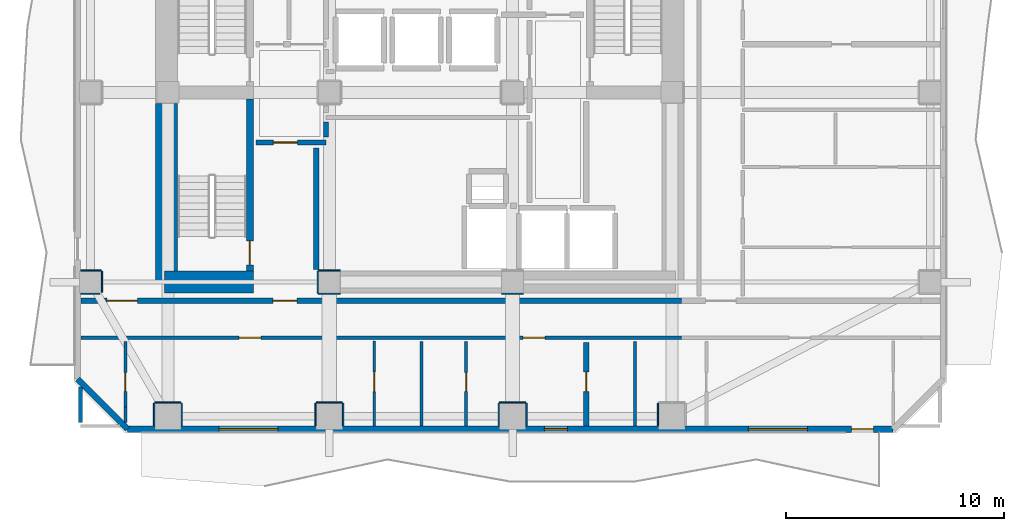
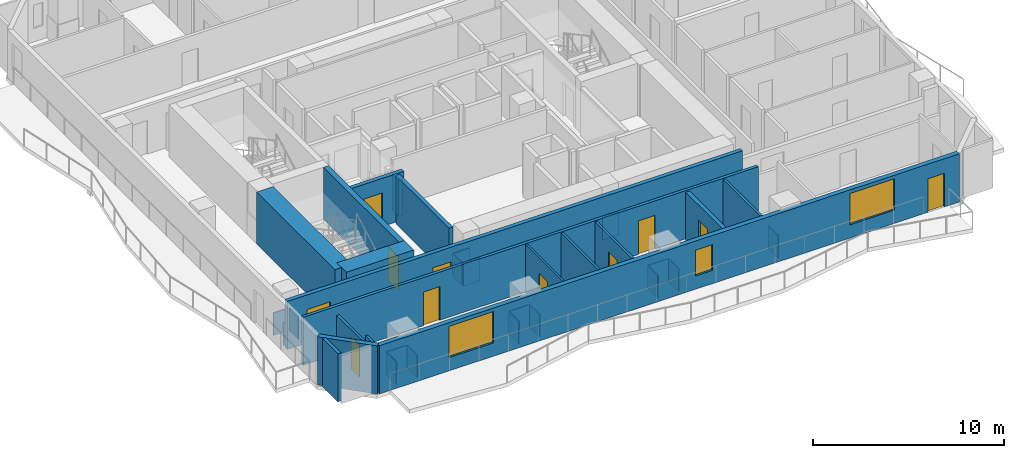
# One storey, part 2 of 11: 35 walls, 11 doors, 3 windows, 14 openings.
"""IFC4 building model written with IfcOpenShell, lengths in metres."""

from ifc_helpers import new_model, si_unit, direction, frame, frame_2d, origin, place, context, subcontext, project, spatial, rectangle, extrude, material, layer, layer_set, type_object, element, fill, save


model = new_model("IFC4")

# Units and contexts
model_context = context("Model", 3, precision=1e-05, world=origin(), true_north=direction((0.0, 1.0)))
body_context = subcontext(model_context, "Body", "Model", "MODEL_VIEW")
ifc_project = project(units=[si_unit("LENGTHUNIT", "METRE"), si_unit("AREAUNIT", "SQUARE_METRE"), si_unit("VOLUMEUNIT", "CUBIC_METRE"), si_unit("PLANEANGLEUNIT", "RADIAN"), si_unit("MASSUNIT", "GRAM", prefix="KILO")], contexts=[model_context])

# Site, building, storey
site_placement = place(None, origin())
site = spatial("IfcSite", under=ifc_project, at=site_placement, CompositionType="ELEMENT")
building_placement = place(site_placement, origin())
building = spatial("IfcBuilding", under=site, at=building_placement, Name="Solanera Arch Residences", CompositionType="ELEMENT")
storey_placement = place(building_placement, frame((0.0, 0.0, 149.239990234375)))
storey = spatial("IfcBuildingStorey", under=building, at=storey_placement, Name="L43", CompositionType="ELEMENT", Elevation=149.239990234375)

# Walls
ifc_material_1 = material(Name="Fire-Rated Gypsum Stud Partition", Category="gypsum")
ifc_layer_1 = layer(ifc_material_1, 0.06005859375)
ifc_layer_set_1 = layer_set([ifc_layer_1], Name="Fire-Rated Gypsum Stud Partition")
wall_type_1 = type_object("IfcWallType", Name="Column Acoustic Furring Wall 60", PredefinedType="PARTITIONING", material=ifc_layer_set_1)
for number, where, z_axis, x_axis, name in (
    (1, (20.300048828125, 21.468017578125, 0.0), (0.0, 0.0, 1.0), (1.0, 0.0, 0.0), "L43 Column Furring 1S"),
    (2, (20.300048828125, 22.531982421875, 0.0), (0.0, 0.0, 1.0), (1.0, 0.0, 0.0), "L43 Column Furring 1N"),
    (3, (20.26806640625, 21.5, 0.0), (0.0, 0.0, 1.0), (0.0, 1.0, 0.0), "L43 Column Furring 1W"),
    (4, (28.699951171875, 21.468017578125, 0.0), (0.0, 0.0, 1.0), (1.0, 0.0, 0.0), "L43 Column Furring 2S"),
):
    element("IfcWall", number, at=place(storey_placement, frame(where, z_axis=z_axis, x_axis=x_axis)), inside=storey, type_object=wall_type_1, Name=name, PredefinedType="PARTITIONING", context=body_context, shape_type="SweptSolid", body=[
        extrude(rectangle(XDim=1.0, YDim=0.06005859375, at=frame_2d((0.5, 0.0))), origin(), (0.0, 0.0, 1.0), 1.449951171875),
    ])
wall_1_placement = place(storey_placement, frame((12.800048828125, 16.48193359375, 0.0), z_axis=(0.0, 0.0, 1.0), x_axis=(1.0, 0.0, 0.0)))
element("IfcWall", 5, at=wall_1_placement, inside=storey, type_object=wall_type_1, Name="L43 Column Furring 9N", PredefinedType="PARTITIONING", context=body_context, shape_type="SweptSolid", body=[
    extrude(rectangle(XDim=1.199951171875, YDim=0.06005859375, at=frame_2d((0.60009765625, 0.0))), origin(), (0.0, 0.0, 1.0), 1.449951171875),
])
for number, where, z_axis, x_axis, name in (
    (6, (12.76806640625, 15.409912109375, 0.0), (0.0, 0.0, 1.0), (0.0, 1.0, 0.0), "L43 Column Furring 9W"),
    (7, (14.031982421875, 15.409912109375, 0.0), (0.0, 0.0, 1.0), (0.0, 1.0, 0.0), "L43 Column Furring 9E"),
):
    element("IfcWall", number, at=place(storey_placement, frame(where, z_axis=z_axis, x_axis=x_axis)), inside=storey, type_object=wall_type_1, Name=name, PredefinedType="PARTITIONING", context=body_context, shape_type="SweptSolid", body=[
        extrude(rectangle(XDim=1.0400390625, YDim=0.06005859375, at=frame_2d((0.52001953125, 0.0))), origin(), (0.0, 0.0, 1.0), 1.449951171875),
    ])
wall_2_placement = place(storey_placement, frame((20.199951171875, 16.48193359375, 0.0), z_axis=(0.0, 0.0, 1.0), x_axis=(1.0, 0.0, 0.0)))
element("IfcWall", 8, at=wall_2_placement, inside=storey, type_object=wall_type_1, Name="L43 Column Furring 11N", PredefinedType="PARTITIONING", context=body_context, shape_type="SweptSolid", body=[
    extrude(rectangle(XDim=1.199951171875, YDim=0.06005859375, at=frame_2d((0.60009765625, 0.0))), origin(), (0.0, 0.0, 1.0), 1.449951171875),
])
for number, where, z_axis, x_axis, name in (
    (9, (20.16796875, 15.409912109375, 0.0), (0.0, 0.0, 1.0), (0.0, 1.0, 0.0), "L43 Column Furring 11W"),
    (10, (21.431884765625, 15.409912109375, 0.0), (0.0, 0.0, 1.0), (0.0, 1.0, 0.0), "L43 Column Furring 11E"),
):
    element("IfcWall", number, at=place(storey_placement, frame(where, z_axis=z_axis, x_axis=x_axis)), inside=storey, type_object=wall_type_1, Name=name, PredefinedType="PARTITIONING", context=body_context, shape_type="SweptSolid", body=[
        extrude(rectangle(XDim=1.0400390625, YDim=0.06005859375, at=frame_2d((0.52001953125, 0.0))), origin(), (0.0, 0.0, 1.0), 1.449951171875),
    ])
wall_3_placement = place(storey_placement, frame((28.60009765625, 16.48193359375, 0.0), z_axis=(0.0, 0.0, 1.0), x_axis=(1.0, 0.0, 0.0)))
element("IfcWall", 11, at=wall_3_placement, inside=storey, type_object=wall_type_1, Name="L43 Column Furring 13N", PredefinedType="PARTITIONING", context=body_context, shape_type="SweptSolid", body=[
    extrude(rectangle(XDim=1.199951171875, YDim=0.06005859375, at=frame_2d((0.60009765625, 0.0))), origin(), (0.0, 0.0, 1.0), 1.449951171875),
])
for number, where, z_axis, x_axis, name in (
    (12, (28.568115234375, 15.409912109375, 0.0), (0.0, 0.0, 1.0), (0.0, 1.0, 0.0), "L43 Column Furring 13W"),
    (13, (29.83203125, 15.409912109375, 0.0), (0.0, 0.0, 1.0), (0.0, 1.0, 0.0), "L43 Column Furring 13E"),
    (14, (35.867919921875, 15.409912109375, 0.0), (0.0, 0.0, 1.0), (0.0, 1.0, 0.0), "L43 Column Furring 15W"),
):
    element("IfcWall", number, at=place(storey_placement, frame(where, z_axis=z_axis, x_axis=x_axis)), inside=storey, type_object=wall_type_1, Name=name, PredefinedType="PARTITIONING", context=body_context, shape_type="SweptSolid", body=[
        extrude(rectangle(XDim=1.0400390625, YDim=0.06005859375, at=frame_2d((0.52001953125, 0.0))), origin(), (0.0, 0.0, 1.0), 1.449951171875),
    ])
wall_4_placement = place(storey_placement, frame((9.409912109375, 21.468017578125, 0.0), z_axis=(0.0, 0.0, 1.0), x_axis=(1.0, 0.0, 0.0)))
element("IfcWall", 15, at=wall_4_placement, inside=storey, type_object=wall_type_1, Name="L43 Column Furring 17S", PredefinedType="PARTITIONING", context=body_context, shape_type="SweptSolid", body=[
    extrude(rectangle(XDim=0.87109375, YDim=0.06005859375, at=frame_2d((0.435546875, 0.0))), origin(), (0.0, 0.0, 1.0), 1.449951171875),
])
wall_5_placement = place(storey_placement, frame((9.409912109375, 22.531982421875, 0.0), z_axis=(0.0, 0.0, 1.0), x_axis=(1.0, 0.0, 0.0)))
element("IfcWall", 16, at=wall_5_placement, inside=storey, type_object=wall_type_1, Name="L43 Column Furring 17N", PredefinedType="PARTITIONING", context=body_context, shape_type="SweptSolid", body=[
    extrude(rectangle(XDim=0.940185546875, YDim=0.06005859375, at=frame_2d((0.47021484375, 0.0))), origin(), (0.0, 0.0, 1.0), 1.449951171875),
])
wall_6_placement = place(storey_placement, frame((10.382080078125, 21.5439453125, 0.0), z_axis=(0.0, 0.0, 1.0), x_axis=(0.0, 1.0, 0.0)))
element("IfcWall", 17, at=wall_6_placement, inside=storey, type_object=wall_type_1, Name="L43 Column Furring 17E", PredefinedType="PARTITIONING", context=body_context, shape_type="SweptSolid", body=[
    extrude(rectangle(XDim=0.9560546875, YDim=0.06005859375, at=frame_2d((0.47802734375, 0.0))), origin(), (0.0, 0.0, 1.0), 1.449951171875),
])
ifc_material_2 = material(Name="Concrete C55/67 (f'c = 60 MPa)", Category="concrete")
ifc_layer_2 = layer(ifc_material_2, 1.0)
ifc_layer_set_2 = layer_set([ifc_layer_2], Name="Concrete C55/67 (f'c = 60 MPa)")
wall_type_2 = type_object("IfcWallType", Name="Core Shear Wall CW-1000", PredefinedType="SHEAR", material=ifc_layer_set_2)
wall_7_placement = place(storey_placement, frame((13.340087890625, 22.0, 0.0), z_axis=(0.0, 0.0, 1.0), x_axis=(0.0, 1.0, 0.0)))
element("IfcWall", 18, at=wall_7_placement, inside=storey, type_object=wall_type_2, Name="L43 West Core South Shear Wall", PredefinedType="SHEAR", context=body_context, shape_type="SweptSolid", body=[
    extrude(rectangle(XDim=8.195068359375, YDim=1.0, at=frame_2d((4.09765625, 0.0))), origin(), (0.0, 0.0, 1.0), 3.320068359375),
])
wall_8_placement = place(storey_placement, frame((13.239990234375, 22.0, 0.0), z_axis=(0.0, 0.0, 1.0), x_axis=(1.0, 0.0, 0.0)))
element("IfcWall", 19, at=wall_8_placement, inside=storey, type_object=wall_type_2, Name="L43 South-West Core Shear Wall", PredefinedType="SHEAR", context=body_context, shape_type="SweptSolid", body=[
    extrude(rectangle(XDim=4.080078125, YDim=1.0, at=frame_2d((2.0400390625, 0.0))), origin(), (0.0, 0.0, 1.0), 3.320068359375),
])

# Wall, opening, door
ifc_material_3 = material(Name="Concrete C40/50 (f'c = 45 MPa)", Category="concrete")
ifc_layer_3 = layer(ifc_material_3, 0.320068359375)
ifc_layer_set_3 = layer_set([ifc_layer_3], Name="Concrete C40/50 (f'c = 45 MPa)")
wall_type_3 = type_object("IfcWallType", Name="Core Shear Wall CW-320", PredefinedType="SHEAR", material=ifc_layer_set_3)
wall_9_placement = place(storey_placement, frame((17.159912109375, 22.5, 0.0), z_axis=(0.0, 0.0, 1.0), x_axis=(0.0, 1.0, 0.0)))
wall_9 = element("IfcWall", 20, at=wall_9_placement, inside=storey, type_object=wall_type_3, Name="L43 Stair ST-T3 East Shear Wall", PredefinedType="SHEAR", context=body_context, shape_type="SweptSolid", body=[
    extrude(rectangle(XDim=7.89990234375, YDim=0.320068359375, at=frame_2d((3.949951171875, 0.0))), origin(), (0.0, 0.0, 1.0), 3.320068359375),
])
opening_1_placement = place(wall_9_placement, frame((0.2900390625, 0.0, 0.0)))
opening_1 = element("IfcOpeningElement", 21, at=opening_1_placement, cuts=wall_9, Name="Opening DF-01", PredefinedType="OPENING", context=body_context, shape_type="SweptSolid", body=[
    extrude(rectangle(XDim=1.10009765625, YDim=2.14990234375, at=frame_2d((0.550048828125, 1.074951171875))), frame((0.0, 0.169921875, 0.0), z_axis=(0.0, -1.0, 0.0), x_axis=(1.0, 0.0, 0.0)), (0.0, 0.0, 1.0), 0.3401),
])
ifc_material_4 = material(Name="Fire-Rated Architectural Hardwood", Category="wood")
door_type_1 = type_object("IfcDoorType", Name="Stair Exit Fire Door DF-01", OperationType="NOTDEFINED", PredefinedType="DOOR", material=ifc_material_4)
door_1_placement = place(opening_1_placement, origin())
door_1 = element("IfcDoor", 22, at=door_1_placement, inside=storey, type_object=door_type_1, Name="DR-L43-STAIR-ST-T3", OperationType="SINGLE_SWING_RIGHT", OverallHeight=2.14990234375, OverallWidth=1.10009765625, PredefinedType="DOOR", context=body_context, shape_type="SweptSolid", body=[
    extrude(rectangle(XDim=1.10009765625, YDim=2.14990234375, at=frame_2d((0.550048828125, 1.074951171875))), frame((0.0, 0.02490234375, 0.0), z_axis=(0.0, -1.0, 0.0), x_axis=(1.0, 0.0, 0.0)), (0.0, 0.0, 1.0), 0.050048828125),
])
fill(opening_1, door_1)

# Wall, openings, doors
ifc_material_5 = material(Name="Autoclaved Aerated Concrete Blockwork", Category="masonry")
ifc_layer_4 = layer(ifc_material_5, 0.179931640625)
ifc_layer_set_4 = layer_set([ifc_layer_4], Name="Autoclaved Aerated Concrete Blockwork")
wall_type_4 = type_object("IfcWallType", Name="Corridor Fire Partition 180", PredefinedType="PARTITIONING", material=ifc_layer_set_4)
wall_10_placement = place(storey_placement, frame((9.406982421875, 19.449951171875, 0.0), z_axis=(0.0, 0.0, 1.0), x_axis=(1.0, 0.0, 0.0)))
wall_10 = element("IfcWall", 23, at=wall_10_placement, inside=storey, type_object=wall_type_4, Name="L43 Interior Partition H8 1", PredefinedType="PARTITIONING", context=body_context, shape_type="SweptSolid", body=[
    extrude(rectangle(XDim=27.531982421875, YDim=0.179931640625, at=frame_2d((13.76611328125, 0.0))), origin(), (0.0, 0.0, 1.0), 3.080078125),
])
opening_2_placement = place(wall_10_placement, frame((7.251953125, 0.0, 0.0)))
opening_2 = element("IfcOpeningElement", 24, at=opening_2_placement, cuts=wall_10, Name="Opening DI-01", PredefinedType="OPENING", context=body_context, shape_type="SweptSolid", body=[
    extrude(rectangle(XDim=1.0, YDim=2.14990234375, at=frame_2d((0.5, 1.074951171875))), frame((0.0, 0.10009765625, 0.0), z_axis=(0.0, -1.0, 0.0), x_axis=(1.0, 0.0, 0.0)), (0.0, 0.0, 1.0), 0.1999),
])
opening_3_placement = place(wall_10_placement, frame((20.281982421875, 0.0, 0.0)))
opening_3 = element("IfcOpeningElement", 25, at=opening_3_placement, cuts=wall_10, Name="Opening DI-01", PredefinedType="OPENING", context=body_context, shape_type="SweptSolid", body=[
    extrude(rectangle(XDim=1.0, YDim=2.14990234375, at=frame_2d((0.5, 1.074951171875))), frame((0.0, 0.10009765625, 0.0), z_axis=(0.0, -1.0, 0.0), x_axis=(1.0, 0.0, 0.0)), (0.0, 0.0, 1.0), 0.1999),
])
ifc_material_6 = material(Name="Fire-Rated Architectural Hardwood", Category="wood")
door_type_2 = type_object("IfcDoorType", Name="Unit Entrance Fire Door DI-01", OperationType="NOTDEFINED", PredefinedType="DOOR", material=ifc_material_6)
door_2_placement = place(opening_2_placement, origin())
door_2 = element("IfcDoor", 26, at=door_2_placement, inside=storey, type_object=door_type_2, Name="DR-L43-IN-017", OperationType="SINGLE_SWING_RIGHT", OverallHeight=2.14990234375, OverallWidth=1.0, PredefinedType="DOOR", context=body_context, shape_type="SweptSolid", body=[
    extrude(rectangle(XDim=1.0, YDim=2.14990234375, at=frame_2d((0.5, 1.074951171875))), frame((0.0, 0.02490234375, 0.0), z_axis=(0.0, -1.0, 0.0), x_axis=(1.0, 0.0, 0.0)), (0.0, 0.0, 1.0), 0.050048828125),
])
fill(opening_2, door_2)
door_3_placement = place(opening_3_placement, origin())
door_3 = element("IfcDoor", 27, at=door_3_placement, inside=storey, type_object=door_type_2, Name="DR-L43-IN-020", OperationType="SINGLE_SWING_LEFT", OverallHeight=2.14990234375, OverallWidth=1.0, PredefinedType="DOOR", context=body_context, shape_type="SweptSolid", body=[
    extrude(rectangle(XDim=1.0, YDim=2.14990234375, at=frame_2d((0.5, 1.074951171875))), frame((0.0, 0.02490234375, 0.0), z_axis=(0.0, -1.0, 0.0), x_axis=(1.0, 0.0, 0.0)), (0.0, 0.0, 1.0), 0.050048828125),
])
fill(opening_3, door_3)

# Wall
wall_11_placement = place(storey_placement, frame((9.39990234375, 15.568115234375, 0.0), z_axis=(0.0, 0.0, 1.0), x_axis=(0.0, 1.0, 0.0)))
element("IfcWall", 28, at=wall_11_placement, inside=storey, type_object=wall_type_4, Name="L43 Interior Partition V8 1", PredefinedType="PARTITIONING", context=body_context, shape_type="SweptSolid", body=[
    extrude(rectangle(XDim=1.626953125, YDim=0.179931640625, at=frame_2d((0.8134765625, 0.0))), origin(), (0.0, 0.0, 1.0), 3.080078125),
])

# Wall, openings, door, windows
ifc_material_7 = material(Name="Precast Concrete C35/45", Category="concrete")
ifc_layer_5 = layer(ifc_material_7, 0.280029296875)
ifc_layer_set_5 = layer_set([ifc_layer_5], Name="Precast Concrete C35/45")
wall_type_5 = type_object("IfcWallType", Name="Exterior Wall Precast Masonry-Frame 280", PredefinedType="STANDARD", material=ifc_layer_set_5)
wall_12_placement = place(storey_placement, frame((46.64501953125, 15.2548828125, 0.0), z_axis=(0.0, 0.0, 1.0), x_axis=(-1.0, 0.0, 0.0)))
wall_12 = element("IfcWall", 29, at=wall_12_placement, inside=storey, type_object=wall_type_5, Name="L43 Tower Exterior Precast Masonry-Frame Wall S", PredefinedType="STANDARD", context=body_context, shape_type="SweptSolid", body=[
    extrude(rectangle(XDim=35.090087890625, YDim=0.280029296875, at=frame_2d((17.544921875, 0.0))), origin(), (0.0, 0.0, 1.0), 3.080078125),
])
opening_4_placement = place(wall_12_placement, frame((0.904052734375, 0.0, 0.0)))
opening_4 = element("IfcOpeningElement", 30, at=opening_4_placement, cuts=wall_12, Name="Opening DB-01", PredefinedType="OPENING", context=body_context, shape_type="SweptSolid", body=[
    extrude(rectangle(XDim=1.0, YDim=2.14990234375, at=frame_2d((0.5, 1.074951171875))), frame((0.0, 0.14990234375, 0.0), z_axis=(0.0, -1.0, 0.0), x_axis=(1.0, 0.0, 0.0)), (0.0, 0.0, 1.0), 0.3),
])
opening_5_placement = place(wall_12_placement, frame((28.195068359375, 0.0, 0.85009765625)))
opening_5 = element("IfcOpeningElement", 31, at=opening_5_placement, cuts=wall_12, Name="Opening W-09", PredefinedType="OPENING", context=body_context, shape_type="SweptSolid", body=[
    extrude(rectangle(XDim=2.699951171875, YDim=2.0, at=frame_2d((1.35009765625, 1.0))), frame((0.0, 0.14990234375, 0.0), z_axis=(0.0, -1.0, 0.0), x_axis=(1.0, 0.0, 0.0)), (0.0, 0.0, 1.0), 0.3),
])
opening_6_placement = place(wall_12_placement, frame((14.93505859375, 0.0, 0.85009765625)))
opening_6 = element("IfcOpeningElement", 32, at=opening_6_placement, cuts=wall_12, Name="Opening W-07", PredefinedType="OPENING", context=body_context, shape_type="SweptSolid", body=[
    extrude(rectangle(XDim=1.050048828125, YDim=1.64990234375, at=frame_2d((0.52490234375, 0.824951171875))), frame((0.0, 0.14990234375, 0.0), z_axis=(0.0, -1.0, 0.0), x_axis=(1.0, 0.0, 0.0)), (0.0, 0.0, 1.0), 0.3),
])
opening_7_placement = place(wall_12_placement, frame((3.93408203125, 0.0, 0.85009765625)))
opening_7 = element("IfcOpeningElement", 33, at=opening_7_placement, cuts=wall_12, Name="Opening W-09", PredefinedType="OPENING", context=body_context, shape_type="SweptSolid", body=[
    extrude(rectangle(XDim=2.699951171875, YDim=2.0, at=frame_2d((1.35009765625, 1.0))), frame((0.0, 0.14990234375, 0.0), z_axis=(0.0, -1.0, 0.0), x_axis=(1.0, 0.0, 0.0)), (0.0, 0.0, 1.0), 0.3),
])
ifc_material_8 = material(Name="Anodised Aluminium Alloy 6063-T6", Category="aluminium")
door_type_3 = type_object("IfcDoorType", Name="Glazed Balcony Swing Door DB-01", OperationType="NOTDEFINED", PredefinedType="DOOR", material=ifc_material_8)
door_4_placement = place(opening_4_placement, origin())
door_4 = element("IfcDoor", 34, at=door_4_placement, inside=storey, type_object=door_type_3, Name="DR-L43-OUT-01", OperationType="SINGLE_SWING_LEFT", OverallHeight=2.14990234375, OverallWidth=1.0, PredefinedType="DOOR", context=body_context, shape_type="SweptSolid", body=[
    extrude(rectangle(XDim=1.0, YDim=2.14990234375, at=frame_2d((0.5, 1.074951171875))), frame((0.0, 0.02490234375, 0.0), z_axis=(0.0, -1.0, 0.0), x_axis=(1.0, 0.0, 0.0)), (0.0, 0.0, 1.0), 0.050048828125),
])
fill(opening_4, door_4)
ifc_material_9 = material(Name="Double Glazed Low-E Laminated Glass", Category="glass")
window_type_1 = type_object("IfcWindowType", Name="Punched Window W-07", PartitioningType="SINGLE_PANEL", PredefinedType="WINDOW", material=ifc_material_9)
window_1_placement = place(opening_6_placement, origin())
window_1 = element("IfcWindow", 35, at=window_1_placement, inside=storey, type_object=window_type_1, Name="L43 4302-LIV Punched Window", OverallHeight=1.64990234375, OverallWidth=1.050048828125, PartitioningType="SINGLE_PANEL", PredefinedType="WINDOW", context=body_context, shape_type="SweptSolid", body=[
    extrude(rectangle(XDim=1.050048828125, YDim=1.64990234375, at=frame_2d((0.52490234375, 0.824951171875))), frame((0.0, 0.030029296875, 0.0), z_axis=(0.0, -1.0, 0.0), x_axis=(1.0, 0.0, 0.0)), (0.0, 0.0, 1.0), 0.06005859375),
])
fill(opening_6, window_1)
ifc_material_10 = material(Name="Double Glazed Low-E Laminated Glass", Category="glass")
window_type_2 = type_object("IfcWindowType", Name="Punched Window W-09", PartitioningType="TRIPLE_PANEL_VERTICAL", PredefinedType="WINDOW", material=ifc_material_10)
window_2_placement = place(opening_5_placement, origin())
window_2 = element("IfcWindow", 36, at=window_2_placement, inside=storey, type_object=window_type_2, Name="L43 4301-LIV Punched Window", OverallHeight=2.0, OverallWidth=2.699951171875, PartitioningType="SINGLE_PANEL", PredefinedType="WINDOW", context=body_context, shape_type="SweptSolid", body=[
    extrude(rectangle(XDim=2.699951171875, YDim=2.0, at=frame_2d((1.35009765625, 1.0))), frame((0.0, 0.030029296875, 0.0), z_axis=(0.0, -1.0, 0.0), x_axis=(1.0, 0.0, 0.0)), (0.0, 0.0, 1.0), 0.06005859375),
])
fill(opening_5, window_2)
window_3_placement = place(opening_7_placement, origin())
window_3 = element("IfcWindow", 37, at=window_3_placement, inside=storey, type_object=window_type_2, Name="L43 4303-LIV Punched Window", OverallHeight=2.0, OverallWidth=2.699951171875, PartitioningType="SINGLE_PANEL", PredefinedType="WINDOW", context=body_context, shape_type="SweptSolid", body=[
    extrude(rectangle(XDim=2.699951171875, YDim=2.0, at=frame_2d((1.35009765625, 1.0))), frame((0.0, 0.030029296875, 0.0), z_axis=(0.0, -1.0, 0.0), x_axis=(1.0, 0.0, 0.0)), (0.0, 0.0, 1.0), 0.06005859375),
])
fill(opening_7, window_3)

# Wall
wall_13_placement = place(storey_placement, frame((11.554931640625, 15.2548828125, 0.0), z_axis=(0.0, 0.0, 1.0), x_axis=(-0.707106781187, 0.707106781187, 0.0)))
element("IfcWall", 38, at=wall_13_placement, inside=storey, type_object=wall_type_5, Name="L43 Tower Exterior Precast Masonry-Frame Wall CH7", PredefinedType="STANDARD", context=body_context, shape_type="SweptSolid", body=[
    extrude(rectangle(XDim=3.252685546875, YDim=0.280029296875, at=frame_2d((1.62646484375, 0.0))), origin(), (0.0, 0.0, 1.0), 3.080078125),
])

# Wall, openings, doors
ifc_material_11 = material(Name="Autoclaved Aerated Concrete Blockwork", Category="masonry")
ifc_layer_6 = layer(ifc_material_11, 0.239990234375)
ifc_layer_set_6 = layer_set([ifc_layer_6], Name="Autoclaved Aerated Concrete Blockwork")
wall_type_6 = type_object("IfcWallType", Name="Shaft Wall Fire-Rated 240", PredefinedType="PARTITIONING", material=ifc_layer_set_6)
wall_14_placement = place(storey_placement, frame((9.406982421875, 21.14990234375, 0.0), z_axis=(0.0, 0.0, 1.0), x_axis=(1.0, 0.0, 0.0)))
wall_14 = element("IfcWall", 39, at=wall_14_placement, inside=storey, type_object=wall_type_6, Name="L43 Interior Partition H1 1", PredefinedType="PARTITIONING", context=body_context, shape_type="SweptSolid", body=[
    extrude(rectangle(XDim=27.531982421875, YDim=0.239990234375, at=frame_2d((13.76611328125, 0.0))), origin(), (0.0, 0.0, 1.0), 3.080078125),
])
opening_8_placement = place(wall_14_placement, frame((8.802978515625, 0.0, 0.0)))
opening_8 = element("IfcOpeningElement", 40, at=opening_8_placement, cuts=wall_14, Name="Opening DF-02", PredefinedType="OPENING", context=body_context, shape_type="SweptSolid", body=[
    extrude(rectangle(XDim=1.10009765625, YDim=2.14990234375, at=frame_2d((0.550048828125, 1.074951171875))), frame((0.0, 0.1298828125, 0.0), z_axis=(0.0, -1.0, 0.0), x_axis=(1.0, 0.0, 0.0)), (0.0, 0.0, 1.0), 0.26),
])
opening_9_placement = place(wall_14_placement, frame((1.19189453125, 0.0, 0.0)))
opening_9 = element("IfcOpeningElement", 41, at=opening_9_placement, cuts=wall_14, Name="Opening DF-03", PredefinedType="OPENING", context=body_context, shape_type="SweptSolid", body=[
    extrude(rectangle(XDim=1.39990234375, YDim=2.14990234375, at=frame_2d((0.699951171875, 1.074951171875))), frame((0.0, 0.1298828125, 0.0), z_axis=(0.0, -1.0, 0.0), x_axis=(1.0, 0.0, 0.0)), (0.0, 0.0, 1.0), 0.26),
])
ifc_material_12 = material(Name="Fire-Rated Architectural Hardwood", Category="wood")
door_type_4 = type_object("IfcDoorType", Name="Corridor Smoke Door DF-03", OperationType="NOTDEFINED", PredefinedType="DOOR", material=ifc_material_12)
door_5_placement = place(opening_9_placement, origin())
door_5 = element("IfcDoor", 42, at=door_5_placement, inside=storey, type_object=door_type_4, Name="DR-L43-IN-010", OperationType="SINGLE_SWING_LEFT", OverallHeight=2.14990234375, OverallWidth=1.39990234375, PredefinedType="DOOR", context=body_context, shape_type="SweptSolid", body=[
    extrude(rectangle(XDim=1.39990234375, YDim=2.14990234375, at=frame_2d((0.699951171875, 1.074951171875))), frame((0.0, 0.02490234375, 0.0), z_axis=(0.0, -1.0, 0.0), x_axis=(1.0, 0.0, 0.0)), (0.0, 0.0, 1.0), 0.050048828125),
])
fill(opening_9, door_5)
ifc_material_13 = material(Name="Fire-Rated Architectural Hardwood", Category="wood")
door_type_5 = type_object("IfcDoorType", Name="Firefighting Lobby Fire Door DF-02", OperationType="NOTDEFINED", PredefinedType="DOOR", material=ifc_material_13)
door_6_placement = place(opening_8_placement, origin())
door_6 = element("IfcDoor", 43, at=door_6_placement, inside=storey, type_object=door_type_5, Name="DR-L43-IN-008", OperationType="SINGLE_SWING_LEFT", OverallHeight=2.14990234375, OverallWidth=1.10009765625, PredefinedType="DOOR", context=body_context, shape_type="SweptSolid", body=[
    extrude(rectangle(XDim=1.10009765625, YDim=2.14990234375, at=frame_2d((0.550048828125, 1.074951171875))), frame((0.0, 0.02490234375, 0.0), z_axis=(0.0, -1.0, 0.0), x_axis=(1.0, 0.0, 0.0)), (0.0, 0.0, 1.0), 0.050048828125),
])
fill(opening_8, door_6)

# Wall, opening, door
wall_15_placement = place(storey_placement, frame((17.449951171875, 28.39990234375, 0.0), z_axis=(0.0, 0.0, 1.0), x_axis=(1.0, 0.0, 0.0)))
wall_15 = element("IfcWall", 44, at=wall_15_placement, inside=storey, type_object=wall_type_6, Name="L43 Interior Partition H3", PredefinedType="PARTITIONING", context=body_context, shape_type="SweptSolid", body=[
    extrude(rectangle(XDim=3.199951171875, YDim=0.239990234375, at=frame_2d((1.60009765625, 0.0))), origin(), (0.0, 0.0, 1.0), 3.080078125),
])
opening_10_placement = place(wall_15_placement, frame((0.783935546875, 0.0, 0.0)))
opening_10 = element("IfcOpeningElement", 45, at=opening_10_placement, cuts=wall_15, Name="Opening DF-02", PredefinedType="OPENING", context=body_context, shape_type="SweptSolid", body=[
    extrude(rectangle(XDim=1.10009765625, YDim=2.14990234375, at=frame_2d((0.550048828125, 1.074951171875))), frame((0.0, 0.1298828125, 0.0), z_axis=(0.0, -1.0, 0.0), x_axis=(1.0, 0.0, 0.0)), (0.0, 0.0, 1.0), 0.26),
])
door_7_placement = place(opening_10_placement, origin())
door_7 = element("IfcDoor", 46, at=door_7_placement, inside=storey, type_object=door_type_5, Name="DR-L43-IN-004", OperationType="SINGLE_SWING_LEFT", OverallHeight=2.14990234375, OverallWidth=1.10009765625, PredefinedType="DOOR", context=body_context, shape_type="SweptSolid", body=[
    extrude(rectangle(XDim=1.10009765625, YDim=2.14990234375, at=frame_2d((0.550048828125, 1.074951171875))), frame((0.0, 0.02490234375, 0.0), z_axis=(0.0, -1.0, 0.0), x_axis=(1.0, 0.0, 0.0)), (0.0, 0.0, 1.0), 0.050048828125),
])
fill(opening_10, door_7)

# Walls
wall_16_placement = place(storey_placement, frame((20.199951171875, 22.5859375, 0.0), z_axis=(0.0, 0.0, 1.0), x_axis=(0.0, 1.0, 0.0)))
element("IfcWall", 47, at=wall_16_placement, inside=storey, type_object=wall_type_6, Name="L43 Interior Partition V2", PredefinedType="PARTITIONING", context=body_context, shape_type="SweptSolid", body=[
    extrude(rectangle(XDim=5.566162109375, YDim=0.239990234375, at=frame_2d((2.783203125, 0.0))), origin(), (0.0, 0.0, 1.0), 3.080078125),
])
wall_17_placement = place(storey_placement, frame((20.64990234375, 28.64794921875, 0.0), z_axis=(0.0, 0.0, 1.0), x_axis=(0.0, 1.0, 0.0)))
element("IfcWall", 48, at=wall_17_placement, inside=storey, type_object=wall_type_6, Name="L43 Interior Partition V3 1", PredefinedType="PARTITIONING", context=body_context, shape_type="SweptSolid", body=[
    extrude(rectangle(XDim=0.68408203125, YDim=0.239990234375, at=frame_2d((0.342041015625, 0.0))), origin(), (0.0, 0.0, 1.0), 2.31494140625),
])

# Wall, opening, door
wall_18_placement = place(storey_placement, frame((32.580078125, 15.406982421875, 0.0), z_axis=(0.0, 0.0, 1.0), x_axis=(0.0, 1.0, 0.0)))
wall_18 = element("IfcWall", 49, at=wall_18_placement, inside=storey, type_object=wall_type_6, Name="L43 Interior Partition V5", PredefinedType="PARTITIONING", context=body_context, shape_type="SweptSolid", body=[
    extrude(rectangle(XDim=3.824951171875, YDim=0.239990234375, at=frame_2d((1.91259765625, 0.0))), origin(), (0.0, 0.0, 1.0), 3.080078125),
])
opening_11_placement = place(wall_18_placement, frame((1.568115234375, 0.0, 0.0)))
opening_11 = element("IfcOpeningElement", 50, at=opening_11_placement, cuts=wall_18, Name="Opening DI-02", PredefinedType="OPENING", context=body_context, shape_type="SweptSolid", body=[
    extrude(rectangle(XDim=0.89990234375, YDim=2.10009765625, at=frame_2d((0.449951171875, 1.050048828125))), frame((0.0, 0.1298828125, 0.0), z_axis=(0.0, -1.0, 0.0), x_axis=(1.0, 0.0, 0.0)), (0.0, 0.0, 1.0), 0.26),
])
ifc_material_14 = material(Name="Fire-Rated Architectural Hardwood", Category="wood")
door_type_6 = type_object("IfcDoorType", Name="Suite Room Swing Door DI-02", OperationType="NOTDEFINED", PredefinedType="DOOR", material=ifc_material_14)
door_8_placement = place(opening_11_placement, origin())
door_8 = element("IfcDoor", 51, at=door_8_placement, inside=storey, type_object=door_type_6, Name="DR-L43-IN-022", OperationType="SINGLE_SWING_LEFT", OverallHeight=2.10009765625, OverallWidth=0.89990234375, PredefinedType="DOOR", context=body_context, shape_type="SweptSolid", body=[
    extrude(rectangle(XDim=0.89990234375, YDim=2.10009765625, at=frame_2d((0.449951171875, 1.050048828125))), frame((0.0, 0.02490234375, 0.0), z_axis=(0.0, -1.0, 0.0), x_axis=(1.0, 0.0, 0.0)), (0.0, 0.0, 1.0), 0.050048828125),
])
fill(opening_11, door_8)

ifc_material_15 = material(Name="Fire-Rated Gypsum Stud Partition", Category="gypsum")
ifc_layer_7 = layer(ifc_material_15, 0.1201171875)
ifc_layer_set_7 = layer_set([ifc_layer_7], Name="Fire-Rated Gypsum Stud Partition")
wall_type_7 = type_object("IfcWallType", Name="Unit Drywall Partition 120", PredefinedType="PARTITIONING", material=ifc_layer_set_7)
wall_19_placement = place(storey_placement, frame((22.867919921875, 15.406982421875, 0.0), z_axis=(0.0, 0.0, 1.0), x_axis=(0.0, 1.0, 0.0)))
wall_19 = element("IfcWall", 52, at=wall_19_placement, inside=storey, type_object=wall_type_7, Name="L43 Interior Partition V25", PredefinedType="PARTITIONING", context=body_context, shape_type="SweptSolid", body=[
    extrude(rectangle(XDim=3.885009765625, YDim=0.1201171875, at=frame_2d((1.9423828125, 0.0))), origin(), (0.0, 0.0, 1.0), 3.080078125),
])
opening_12_placement = place(wall_19_placement, frame((1.568115234375, 0.0, 0.0)))
opening_12 = element("IfcOpeningElement", 53, at=opening_12_placement, cuts=wall_19, Name="Opening DI-02", PredefinedType="OPENING", context=body_context, shape_type="SweptSolid", body=[
    extrude(rectangle(XDim=0.89990234375, YDim=2.10009765625, at=frame_2d((0.449951171875, 1.050048828125))), frame((0.0, 0.070068359375, 0.0), z_axis=(0.0, -1.0, 0.0), x_axis=(1.0, 0.0, 0.0)), (0.0, 0.0, 1.0), 0.1401),
])
door_9_placement = place(opening_12_placement, origin())
door_9 = element("IfcDoor", 54, at=door_9_placement, inside=storey, type_object=door_type_6, Name="DR-L43-IN-019", OperationType="SINGLE_SWING_RIGHT", OverallHeight=2.10009765625, OverallWidth=0.89990234375, PredefinedType="DOOR", context=body_context, shape_type="SweptSolid", body=[
    extrude(rectangle(XDim=0.89990234375, YDim=2.10009765625, at=frame_2d((0.449951171875, 1.050048828125))), frame((0.0, 0.02490234375, 0.0), z_axis=(0.0, -1.0, 0.0), x_axis=(1.0, 0.0, 0.0)), (0.0, 0.0, 1.0), 0.050048828125),
])
fill(opening_12, door_9)

# Wall
ifc_material_16 = material(Name="Autoclaved Aerated Concrete Blockwork", Category="masonry")
ifc_layer_8 = layer(ifc_material_16, 0.139892578125)
ifc_layer_set_8 = layer_set([ifc_layer_8], Name="Autoclaved Aerated Concrete Blockwork")
wall_type_8 = type_object("IfcWallType", Name="Wet-Room Partition 140", PredefinedType="PARTITIONING", material=ifc_layer_set_8)
wall_20_placement = place(storey_placement, frame((11.449951171875, 15.574951171875, 0.0), z_axis=(0.0, 0.0, 1.0), x_axis=(0.0, 1.0, 0.0)))
element("IfcWall", 55, at=wall_20_placement, inside=storey, type_object=wall_type_8, Name="L43 Interior Partition V14 1", PredefinedType="PARTITIONING", context=body_context, shape_type="SweptSolid", body=[
    extrude(rectangle(XDim=0.703125, YDim=0.139892578125, at=frame_2d((0.3515625, 0.0))), origin(), (0.0, 0.0, 1.0), 3.080078125),
])

# Wall, opening, door
wall_21_placement = place(storey_placement, frame((11.449951171875, 16.278076171875, 0.0), z_axis=(0.0, 0.0, 1.0), x_axis=(0.0, 1.0, 0.0)))
wall_21 = element("IfcWall", 56, at=wall_21_placement, inside=storey, type_object=wall_type_8, Name="L43 Interior Partition V14 2", PredefinedType="PARTITIONING", context=body_context, shape_type="SweptSolid", body=[
    extrude(rectangle(XDim=3.00390625, YDim=0.139892578125, at=frame_2d((1.501953125, 0.0))), origin(), (0.0, 0.0, 1.0), 2.56494140625),
])
opening_13_placement = place(wall_21_placement, frame((0.717041015625, 0.0, 0.0)))
opening_13 = element("IfcOpeningElement", 57, at=opening_13_placement, cuts=wall_21, Name="Opening DI-05", PredefinedType="OPENING", context=body_context, shape_type="SweptSolid", body=[
    extrude(rectangle(XDim=0.860107421875, YDim=2.02001953125, at=frame_2d((0.43017578125, 1.010009765625))), frame((0.0, 0.079833984375, 0.0), z_axis=(0.0, -1.0, 0.0), x_axis=(1.0, 0.0, 0.0)), (0.0, 0.0, 1.0), 0.1599),
])
ifc_material_17 = material(Name="Fire-Rated Architectural Hardwood", Category="wood")
door_type_7 = type_object("IfcDoorType", Name="Bathroom Swing Door DI-05", OperationType="NOTDEFINED", PredefinedType="DOOR", material=ifc_material_17)
door_10_placement = place(opening_13_placement, origin())
door_10 = element("IfcDoor", 58, at=door_10_placement, inside=storey, type_object=door_type_7, Name="DR-L43-IN-018", OperationType="SINGLE_SWING_LEFT", OverallHeight=2.02001953125, OverallWidth=0.860107421875, PredefinedType="DOOR", context=body_context, shape_type="SweptSolid", body=[
    extrude(rectangle(XDim=0.860107421875, YDim=2.02001953125, at=frame_2d((0.43017578125, 1.010009765625))), frame((0.0, 0.02490234375, 0.0), z_axis=(0.0, -1.0, 0.0), x_axis=(1.0, 0.0, 0.0)), (0.0, 0.0, 1.0), 0.050048828125),
])
fill(opening_13, door_10)

# Wall
wall_22_placement = place(storey_placement, frame((25.01806640625, 15.406982421875, 0.0), z_axis=(0.0, 0.0, 1.0), x_axis=(0.0, 1.0, 0.0)))
element("IfcWall", 59, at=wall_22_placement, inside=storey, type_object=wall_type_8, Name="L43 Interior Partition V16", PredefinedType="PARTITIONING", context=body_context, shape_type="SweptSolid", body=[
    extrude(rectangle(XDim=3.875, YDim=0.139892578125, at=frame_2d((1.9375, 0.0))), origin(), (0.0, 0.0, 1.0), 3.080078125),
])

# Wall, opening, door
wall_23_placement = place(storey_placement, frame((27.068115234375, 15.406982421875, 0.0), z_axis=(0.0, 0.0, 1.0), x_axis=(0.0, 1.0, 0.0)))
wall_23 = element("IfcWall", 60, at=wall_23_placement, inside=storey, type_object=wall_type_8, Name="L43 Interior Partition V17", PredefinedType="PARTITIONING", context=body_context, shape_type="SweptSolid", body=[
    extrude(rectangle(XDim=3.875, YDim=0.139892578125, at=frame_2d((1.9375, 0.0))), origin(), (0.0, 0.0, 1.0), 3.080078125),
])
opening_14_placement = place(wall_23_placement, frame((1.587890625, 0.0, 0.0)))
opening_14 = element("IfcOpeningElement", 61, at=opening_14_placement, cuts=wall_23, Name="Opening DI-05", PredefinedType="OPENING", context=body_context, shape_type="SweptSolid", body=[
    extrude(rectangle(XDim=0.860107421875, YDim=2.02001953125, at=frame_2d((0.43017578125, 1.010009765625))), frame((0.0, 0.079833984375, 0.0), z_axis=(0.0, -1.0, 0.0), x_axis=(1.0, 0.0, 0.0)), (0.0, 0.0, 1.0), 0.1599),
])
door_11_placement = place(opening_14_placement, origin())
door_11 = element("IfcDoor", 62, at=door_11_placement, inside=storey, type_object=door_type_7, Name="DR-L43-IN-021", OperationType="SINGLE_SWING_RIGHT", OverallHeight=2.02001953125, OverallWidth=0.860107421875, PredefinedType="DOOR", context=body_context, shape_type="SweptSolid", body=[
    extrude(rectangle(XDim=0.860107421875, YDim=2.02001953125, at=frame_2d((0.43017578125, 1.010009765625))), frame((0.0, 0.02490234375, 0.0), z_axis=(0.0, -1.0, 0.0), x_axis=(1.0, 0.0, 0.0)), (0.0, 0.0, 1.0), 0.050048828125),
])
fill(opening_14, door_11)

# Wall
wall_24_placement = place(storey_placement, frame((34.820068359375, 15.406982421875, 0.0), z_axis=(0.0, 0.0, 1.0), x_axis=(0.0, 1.0, 0.0)))
element("IfcWall", 63, at=wall_24_placement, inside=storey, type_object=wall_type_8, Name="L43 Interior Partition V19", PredefinedType="PARTITIONING", context=body_context, shape_type="SweptSolid", body=[
    extrude(rectangle(XDim=3.875, YDim=0.139892578125, at=frame_2d((1.9375, 0.0))), origin(), (0.0, 0.0, 1.0), 3.080078125),
])

save(model, "model.ifc")
